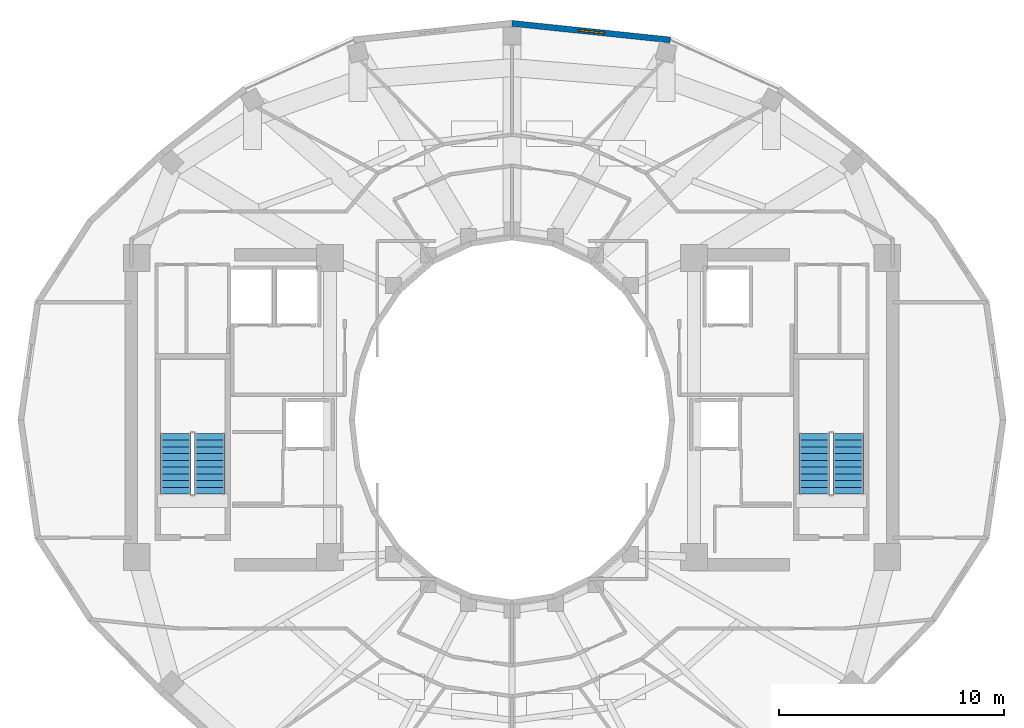
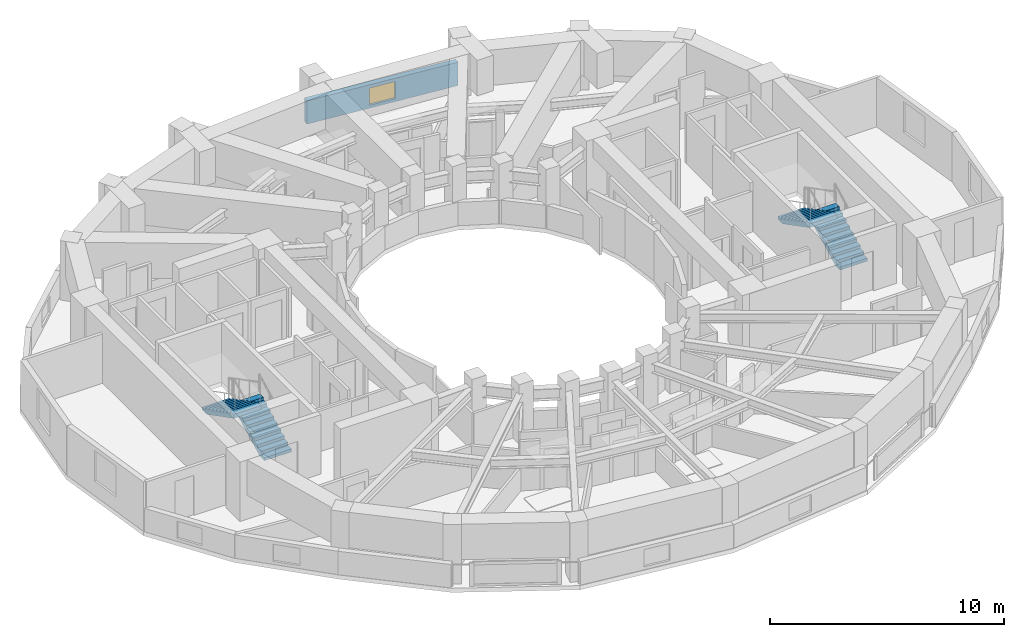
# One storey, part 15 of 17: 4 stair flights, 1 wall, 1 window, 1 opening, 2 elements without a shape of their own.
"""IFC4 building model written with IfcOpenShell, lengths in metres."""

from ifc_helpers import new_model, si_unit, direction, frame, frame_2d, origin, place, context, subcontext, project, spatial, polyline, rectangle, outline, extrude, material, layer, layer_set, type_object, element, fill, aggregate, save


model = new_model("IFC4")

# Units and contexts
model_context = context("Model", 3, precision=1e-05, world=origin(), true_north=direction((0.0, 1.0)))
body_context = subcontext(model_context, "Body", "Model", "MODEL_VIEW")
ifc_project = project(units=[si_unit("LENGTHUNIT", "METRE"), si_unit("AREAUNIT", "SQUARE_METRE"), si_unit("VOLUMEUNIT", "CUBIC_METRE"), si_unit("PLANEANGLEUNIT", "RADIAN"), si_unit("MASSUNIT", "GRAM", prefix="KILO")], contexts=[model_context])

# Site, building, storey
site_placement = place(None, origin())
site = spatial("IfcSite", under=ifc_project, at=site_placement, CompositionType="ELEMENT")
building_placement = place(site_placement, origin())
building = spatial("IfcBuilding", under=site, at=building_placement, Name="Solvane Sanctuary Tower", CompositionType="ELEMENT")
storey_placement = place(building_placement, frame((0.0, 0.0, 235.699951171875)))
storey = spatial("IfcBuildingStorey", under=building, at=storey_placement, Name="L72", CompositionType="ELEMENT", Elevation=235.699951171875)

# Wall, opening, window
ifc_material_1 = material(Name="Precast concrete C40/50", Category="concrete")
ifc_layer = layer(ifc_material_1, 0.260009765625, Name="Precast concrete C40/50")
ifc_layer_set = layer_set([ifc_layer], Name="Precast concrete C40/50")
wall_type = type_object("IfcWallType", Name="Wall W-EXT-250", PredefinedType="STANDARD", material=ifc_layer_set)
wall_placement = place(storey_placement, frame((39.04296875, 39.911865234375, 0.0), z_axis=(0.0, 0.0, 1.0), x_axis=(-0.994582822721, 0.103947144014, 0.0)))
wall = element("IfcWall", 1, at=wall_placement, inside=storey, type_object=wall_type, Name="L72 Ceramic-Printed Facade Wall 05", PredefinedType="STANDARD", context=body_context, shape_type="SweptSolid", body=[
    extrude(rectangle(XDim=7.081298828125, YDim=0.260009765625, at=frame_2d((3.54052734375, 0.0))), origin(), (0.0, 0.0, 1.0), 1.219970703125),
])
opening_placement = place(wall_placement, frame((2.940673828125, 0.0, 0.14990234375)))
opening = element("IfcOpeningElement", 2, at=opening_placement, cuts=wall, Name="Opening WN-OPER-1200", PredefinedType="OPENING", context=body_context, shape_type="SweptSolid", body=[
    extrude(rectangle(XDim=1.199951171875, YDim=0.89990234375, at=frame_2d((0.60009765625, 0.449951171875))), frame((0.0, 0.139892578125, 0.0), z_axis=(0.0, -1.0, 0.0), x_axis=(1.0, 0.0, 0.0)), (0.0, 0.0, 1.0), 0.280029296875),
])
ifc_material_2 = material(Name="Dark Ceramic-Fritted Low-E Glass", Category="glass")
window_type = type_object("IfcWindowType", Name="Window WN-OPER-1200", PartitioningType="SINGLE_PANEL", PredefinedType="WINDOW", material=ifc_material_2)
window_placement = place(opening_placement, origin())
window = element("IfcWindow", 3, at=window_placement, inside=storey, type_object=window_type, Name="L72 Operable Facade Window 05", OverallHeight=0.89990234375, OverallWidth=1.199951171875, PartitioningType="SINGLE_PANEL", PredefinedType="WINDOW", context=body_context, shape_type="SweptSolid", body=[
    extrude(rectangle(XDim=1.199951171875, YDim=0.89990234375, at=frame_2d((0.60009765625, 0.449951171875))), frame((0.0, 0.030029296875, 0.0), z_axis=(0.0, -1.0, 0.0), x_axis=(1.0, 0.0, 0.0)), (0.0, 0.0, 1.0), 0.06005859375),
])
fill(opening, window)

# Stair, stair flights
ifc_material_3 = material(Name="Concrete C45/55", Category="concrete")
stair_type = type_object("IfcStairType", Name="Stair ST-TOW", PredefinedType="HALF_TURN_STAIR", material=ifc_material_3)
stair_1_placement = place(storey_placement, origin())
stair_1 = element("IfcStair", 4, at=stair_1_placement, inside=storey, type_object=stair_type, Name="L72 Exit Stair ST-1 West Core", PredefinedType="HALF_TURN_STAIR")
stair_flight_type = type_object("IfcStairFlightType", Name="StairFlight SF-TOW", PredefinedType="STRAIGHT", material=ifc_material_3)
stair_flight_1_placement = place(storey_placement, frame((18.544921875, 19.699951171875, 0.0), z_axis=(0.0, 0.0, 1.0), x_axis=(0.0, 1.0, 0.0)))
stair_flight_1 = element("IfcStairFlight", 5, at=stair_flight_1_placement, type_object=stair_flight_type, Name="ST-1 flight 1", NumberOfRisers=10, NumberOfTreads=9, PredefinedType="STRAIGHT", RiserHeight=0.155, TreadLength=0.3, context=body_context, shape_type="SweptSolid", body=[
    extrude(outline(polyline([(0.0, 0.0), (0.0, 0.155029296875), (0.300048828125, 0.155029296875), (0.300048828125, 0.31005859375), (0.60009765625, 0.31005859375), (0.60009765625, 0.465087890625), (0.89990234375, 0.465087890625), (0.89990234375, 0.6201171875), (1.199951171875, 0.6201171875), (1.199951171875, 0.77490234375), (1.5, 0.77490234375), (1.5, 0.929931640625), (1.800048828125, 0.929931640625), (1.800048828125, 1.0849609375), (2.10009765625, 1.0849609375), (2.10009765625, 1.239990234375), (2.39990234375, 1.239990234375), (2.39990234375, 1.39501953125), (2.699951171875, 1.39501953125), (2.699951171875, 1.550048828125), (2.699951171875, 1.1923828125), (0.39208984375, 0.0), (0.0, 0.0)])), frame((0.0, 0.675048828125, 0.0), z_axis=(0.0, -1.0, 0.0), x_axis=(1.0, 0.0, 0.0)), (0.0, 0.0, 1.0), 1.35009765625),
])
stair_flight_2_placement = place(storey_placement, frame((17.034912109375, 22.39990234375, 1.550048828125), z_axis=(0.0, 0.0, 1.0), x_axis=(0.0, -1.0, 0.0)))
stair_flight_2 = element("IfcStairFlight", 6, at=stair_flight_2_placement, type_object=stair_flight_type, Name="ST-1 flight 2", NumberOfRisers=10, NumberOfTreads=9, PredefinedType="STRAIGHT", RiserHeight=0.155, TreadLength=0.3, context=body_context, shape_type="SweptSolid", body=[
    extrude(outline(polyline([(0.0, 0.0), (0.0, 0.155029296875), (0.300048828125, 0.155029296875), (0.300048828125, 0.31005859375), (0.60009765625, 0.31005859375), (0.60009765625, 0.465087890625), (0.89990234375, 0.465087890625), (0.89990234375, 0.6201171875), (1.199951171875, 0.6201171875), (1.199951171875, 0.77490234375), (1.5, 0.77490234375), (1.5, 0.929931640625), (1.800048828125, 0.929931640625), (1.800048828125, 1.0849609375), (2.10009765625, 1.0849609375), (2.10009765625, 1.239990234375), (2.39990234375, 1.239990234375), (2.39990234375, 1.39501953125), (2.699951171875, 1.39501953125), (2.699951171875, 1.550048828125), (2.699951171875, 1.1923828125), (0.39208984375, 0.0), (0.0, 0.0)])), frame((0.0, 0.675048828125, 0.0), z_axis=(0.0, -1.0, 0.0), x_axis=(1.0, 0.0, 0.0)), (0.0, 0.0, 1.0), 1.35009765625),
])
aggregate(stair_1, [stair_flight_1, stair_flight_2])

stair_2_placement = place(storey_placement, origin())
stair_2 = element("IfcStair", 7, at=stair_2_placement, inside=storey, type_object=stair_type, Name="L72 Exit Stair ST-2 East Core", PredefinedType="HALF_TURN_STAIR")
stair_flight_3_placement = place(storey_placement, frame((46.965087890625, 19.699951171875, 0.0), z_axis=(0.0, 0.0, 1.0), x_axis=(0.0, 1.0, 0.0)))
stair_flight_3 = element("IfcStairFlight", 8, at=stair_flight_3_placement, type_object=stair_flight_type, Name="ST-2 flight 1", NumberOfRisers=10, NumberOfTreads=9, PredefinedType="STRAIGHT", RiserHeight=0.155, TreadLength=0.3, context=body_context, shape_type="SweptSolid", body=[
    extrude(outline(polyline([(0.0, 0.0), (0.0, 0.155029296875), (0.300048828125, 0.155029296875), (0.300048828125, 0.31005859375), (0.60009765625, 0.31005859375), (0.60009765625, 0.465087890625), (0.89990234375, 0.465087890625), (0.89990234375, 0.6201171875), (1.199951171875, 0.6201171875), (1.199951171875, 0.77490234375), (1.5, 0.77490234375), (1.5, 0.929931640625), (1.800048828125, 0.929931640625), (1.800048828125, 1.0849609375), (2.10009765625, 1.0849609375), (2.10009765625, 1.239990234375), (2.39990234375, 1.239990234375), (2.39990234375, 1.39501953125), (2.699951171875, 1.39501953125), (2.699951171875, 1.550048828125), (2.699951171875, 1.1923828125), (0.39208984375, 0.0), (0.0, 0.0)])), frame((0.0, 0.675048828125, 0.0), z_axis=(0.0, -1.0, 0.0), x_axis=(1.0, 0.0, 0.0)), (0.0, 0.0, 1.0), 1.35009765625),
])
stair_flight_4_placement = place(storey_placement, frame((45.455078125, 22.39990234375, 1.550048828125), z_axis=(0.0, 0.0, 1.0), x_axis=(0.0, -1.0, 0.0)))
stair_flight_4 = element("IfcStairFlight", 9, at=stair_flight_4_placement, type_object=stair_flight_type, Name="ST-2 flight 2", NumberOfRisers=10, NumberOfTreads=9, PredefinedType="STRAIGHT", RiserHeight=0.155, TreadLength=0.3, context=body_context, shape_type="SweptSolid", body=[
    extrude(outline(polyline([(0.0, 0.0), (0.0, 0.155029296875), (0.300048828125, 0.155029296875), (0.300048828125, 0.31005859375), (0.60009765625, 0.31005859375), (0.60009765625, 0.465087890625), (0.89990234375, 0.465087890625), (0.89990234375, 0.6201171875), (1.199951171875, 0.6201171875), (1.199951171875, 0.77490234375), (1.5, 0.77490234375), (1.5, 0.929931640625), (1.800048828125, 0.929931640625), (1.800048828125, 1.0849609375), (2.10009765625, 1.0849609375), (2.10009765625, 1.239990234375), (2.39990234375, 1.239990234375), (2.39990234375, 1.39501953125), (2.699951171875, 1.39501953125), (2.699951171875, 1.550048828125), (2.699951171875, 1.1923828125), (0.39208984375, 0.0), (0.0, 0.0)])), frame((0.0, 0.675048828125, 0.0), z_axis=(0.0, -1.0, 0.0), x_axis=(1.0, 0.0, 0.0)), (0.0, 0.0, 1.0), 1.35009765625),
])
aggregate(stair_2, [stair_flight_3, stair_flight_4])

save(model, "model.ifc")
